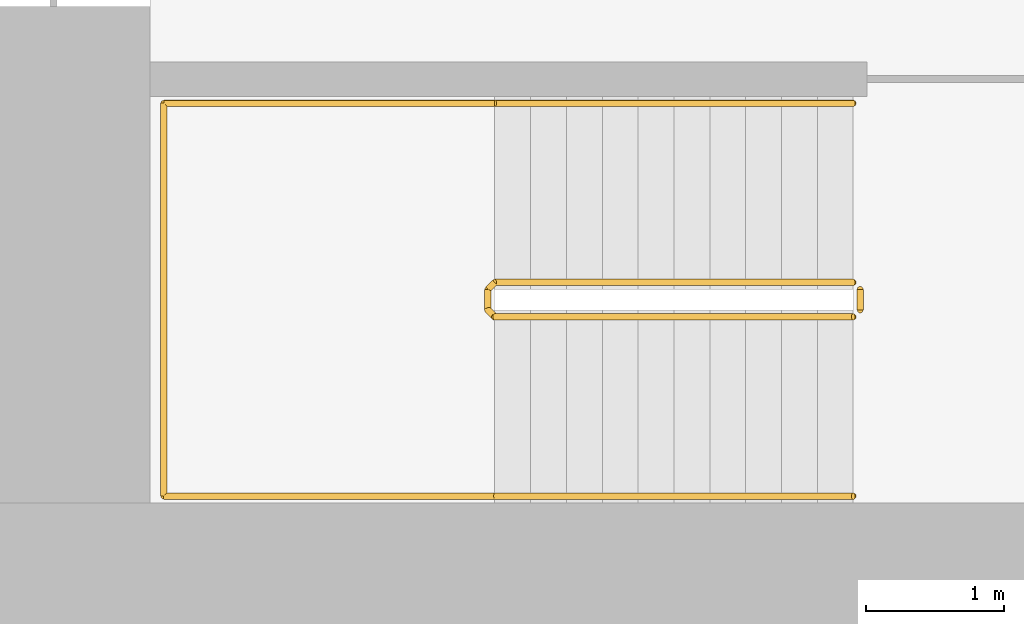
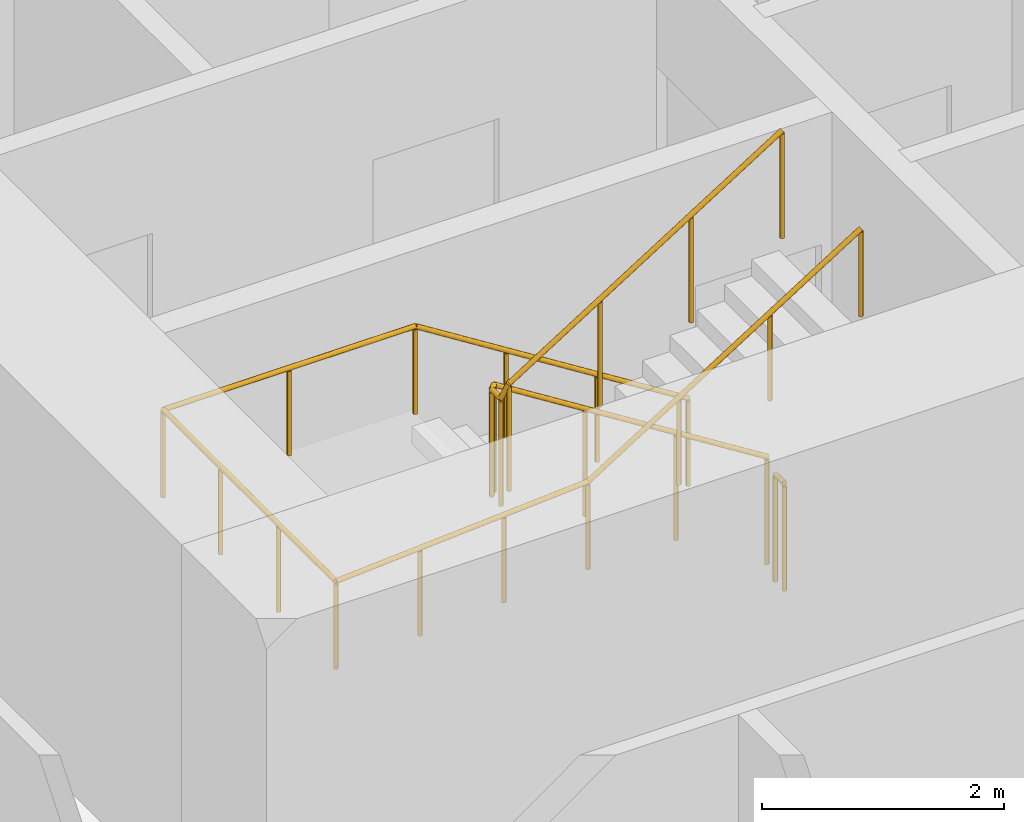
# One storey, part 12 of 14: 3 railings.
"""IFC4 building model written with IfcOpenShell, lengths in metres."""

from ifc_helpers import new_model, si_unit, direction, frame, origin, origin_2d, place, context, subcontext, project, spatial, circle, extrude, material, type_object, element, save


model = new_model("IFC4")

# Units and contexts
model_context = context("Model", 3, precision=1e-05, world=origin(), true_north=direction((0.0, 1.0)))
body_context = subcontext(model_context, "Body", "Model", "MODEL_VIEW")
ifc_project = project(units=[si_unit("LENGTHUNIT", "METRE"), si_unit("AREAUNIT", "SQUARE_METRE"), si_unit("VOLUMEUNIT", "CUBIC_METRE"), si_unit("PLANEANGLEUNIT", "RADIAN"), si_unit("MASSUNIT", "GRAM", prefix="KILO")], contexts=[model_context])

# Site, building, storey
site_placement = place(None, origin())
site = spatial("IfcSite", under=ifc_project, at=site_placement, CompositionType="ELEMENT")
building_placement = place(site_placement, origin())
building = spatial("IfcBuilding", under=site, at=building_placement, Name="Rubra Terraces Tower", CompositionType="ELEMENT")
storey_placement = place(building_placement, frame((0.0, 0.0, 44.699951171875)))
storey = spatial("IfcBuildingStorey", under=building, at=storey_placement, Name="L08", CompositionType="ELEMENT", Elevation=44.699951171875)

# Railings
ifc_material = material(Name="Stainless steel", Category="steel")
railing_type_1 = type_object("IfcRailingType", Name="Core stair guard 1100", PredefinedType="GUARDRAIL", material=ifc_material)
railing_1_placement = place(storey_placement, frame((-6.5, 0.0, 0.16357421875)))
element("IfcRailing", 1, at=railing_1_placement, inside=storey, type_object=railing_type_1, Name="L08 stair S1 guard 1", PredefinedType="GUARDRAIL", context=body_context, shape_type="SweptSolid", body=[
    extrude(circle(Radius=0.02392578125, at=origin_2d()), frame((0.0, 0.0, 1.076171875), z_axis=(-0.846324394277, 0.0, 0.532667832379), x_axis=(0.0, -1.0, 0.0)), (0.0, 0.0, 1.0), 3.072265625),
    extrude(circle(Radius=0.02392578125, at=origin_2d()), frame((-2.60009765625, 0.0, 2.71240234375), z_axis=(-0.705375805398, -0.708833529934, 0.0), x_axis=(0.708833529934, -0.705375805398, 0.0)), (0.0, 0.0, 1.0), 0.070556640625),
    extrude(circle(Radius=0.02392578125, at=origin_2d()), frame((-2.64990234375, -0.050048828125, 2.71240234375), z_axis=(0.0, -1.0, 0.0), x_axis=(1.0, 0.0, 0.0)), (0.0, 0.0, 1.0), 0.14990234375),
    extrude(circle(Radius=0.02392578125, at=origin_2d()), frame((-2.64990234375, -0.199951171875, 2.71240234375), z_axis=(0.279546231943, -0.280916556609, 0.91811752648), x_axis=(0.708833529934, 0.705375805398, 0.0)), (0.0, 0.0, 1.0), 0.17822265625),
    extrude(circle(Radius=0.02392578125, at=origin_2d()), frame((-2.60009765625, -0.25, 2.8759765625), z_axis=(0.846324394277, 0.0, 0.532667832379), x_axis=(0.0, 1.0, 0.0)), (0.0, 0.0, 1.0), 3.072265625),
    extrude(circle(Radius=0.02099609375, at=origin_2d()), origin(), (0.0, 0.0, 1.0), 1.052001953125),
    extrude(circle(Radius=0.02099609375, at=origin_2d()), frame((-0.86669921875, 0.0, 0.54541015625)), (0.0, 0.0, 1.0), 1.052001953125),
    extrude(circle(Radius=0.02099609375, at=origin_2d()), frame((-1.7333984375, 0.0, 1.091064453125)), (0.0, 0.0, 1.0), 1.052001953125),
    extrude(circle(Radius=0.02099609375, at=origin_2d()), frame((-2.60009765625, 0.0, 1.636474609375)), (0.0, 0.0, 1.0), 1.052001953125),
    extrude(circle(Radius=0.02099609375, at=origin_2d()), frame((-2.64990234375, -0.050048828125, 1.636474609375)), (0.0, 0.0, 1.0), 1.052001953125),
    extrude(circle(Radius=0.02099609375, at=origin_2d()), frame((-2.64990234375, -0.199951171875, 1.636474609375)), (0.0, 0.0, 1.0), 1.052001953125),
    extrude(circle(Radius=0.02099609375, at=origin_2d()), frame((-2.60009765625, -0.25, 1.800048828125)), (0.0, 0.0, 1.0), 1.052001953125),
    extrude(circle(Radius=0.02099609375, at=origin_2d()), frame((-1.7333984375, -0.25, 2.345458984375)), (0.0, 0.0, 1.0), 1.052001953125),
    extrude(circle(Radius=0.02099609375, at=origin_2d()), frame((-0.86669921875, -0.25, 2.89111328125)), (0.0, 0.0, 1.0), 1.052001953125),
    extrude(circle(Radius=0.02099609375, at=origin_2d()), frame((0.0, -0.25, 3.4365234375)), (0.0, 0.0, 1.0), 1.052001953125),
])
railing_2_placement = place(storey_placement, frame((-6.449951171875, -0.050048828125, 0.0)))
element("IfcRailing", 2, at=railing_2_placement, inside=storey, type_object=railing_type_1, Name="L08 stair S1 guard 2", PredefinedType="GUARDRAIL", context=body_context, shape_type="SweptSolid", body=[
    extrude(circle(Radius=0.02392578125, at=origin_2d()), frame((0.0, 0.0, 1.076171875), z_axis=(0.0, -1.0, 0.0), x_axis=(1.0, 0.0, 0.0)), (0.0, 0.0, 1.0), 0.14990234375),
    extrude(circle(Radius=0.02099609375, at=origin_2d()), origin(), (0.0, 0.0, 1.0), 1.052001953125),
    extrude(circle(Radius=0.02099609375, at=origin_2d()), frame((0.0, -0.14990234375, 0.0)), (0.0, 0.0, 1.0), 1.052001953125),
])
railing_type_2 = type_object("IfcRailingType", Name="Core stair handrail 900", PredefinedType="HANDRAIL", material=ifc_material)
railing_3_placement = place(storey_placement, frame((-6.5, 1.300048828125, 0.16357421875)))
element("IfcRailing", 3, at=railing_3_placement, inside=storey, type_object=railing_type_2, Name="L08 stair S1 handrail 1", PredefinedType="HANDRAIL", context=body_context, shape_type="SweptSolid", body=[
    extrude(circle(Radius=0.02392578125, at=origin_2d()), frame((0.0, 0.0, 0.8759765625), z_axis=(-0.846324394277, 0.0, 0.532667832379), x_axis=(0.0, -1.0, 0.0)), (0.0, 0.0, 1.0), 3.072265625),
    extrude(circle(Radius=0.02392578125, at=origin_2d()), frame((-2.60009765625, 0.0, 2.51220703125), z_axis=(-1.0, 0.0, 0.0), x_axis=(0.0, -1.0, 0.0)), (0.0, 0.0, 1.0), 2.39990234375),
    extrude(circle(Radius=0.02392578125, at=origin_2d()), frame((-5.0, 0.0, 2.51220703125), z_axis=(0.0, -1.0, 0.0), x_axis=(1.0, 0.0, 0.0)), (0.0, 0.0, 1.0), 2.85009765625),
    extrude(circle(Radius=0.02392578125, at=origin_2d()), frame((-5.0, -2.85009765625, 2.51220703125), z_axis=(0.997685257876, 0.0, 0.068000928055), x_axis=(0.0, 1.0, 0.0)), (0.0, 0.0, 1.0), 2.405517578125),
    extrude(circle(Radius=0.02392578125, at=origin_2d()), frame((-2.60009765625, -2.85009765625, 2.67578125), z_axis=(0.846324394277, 0.0, 0.532667832379), x_axis=(0.0, 1.0, 0.0)), (0.0, 0.0, 1.0), 3.072265625),
    extrude(circle(Radius=0.02099609375, at=origin_2d()), origin(), (0.0, 0.0, 1.0), 0.851806640625),
    extrude(circle(Radius=0.02099609375, at=origin_2d()), frame((-0.86669921875, 0.0, 0.54541015625)), (0.0, 0.0, 1.0), 0.851806640625),
    extrude(circle(Radius=0.02099609375, at=origin_2d()), frame((-1.7333984375, 0.0, 1.091064453125)), (0.0, 0.0, 1.0), 0.851806640625),
    extrude(circle(Radius=0.02099609375, at=origin_2d()), frame((-2.60009765625, 0.0, 1.636474609375)), (0.0, 0.0, 1.0), 0.851806640625),
    extrude(circle(Radius=0.02099609375, at=origin_2d()), frame((-3.800048828125, 0.0, 1.636474609375)), (0.0, 0.0, 1.0), 0.851806640625),
    extrude(circle(Radius=0.02099609375, at=origin_2d()), frame((-5.0, 0.0, 1.636474609375)), (0.0, 0.0, 1.0), 0.851806640625),
    extrude(circle(Radius=0.02099609375, at=origin_2d()), frame((-5.0, -0.949951171875, 1.636474609375)), (0.0, 0.0, 1.0), 0.851806640625),
    extrude(circle(Radius=0.02099609375, at=origin_2d()), frame((-5.0, -1.900146484375, 1.636474609375)), (0.0, 0.0, 1.0), 0.851806640625),
    extrude(circle(Radius=0.02099609375, at=origin_2d()), frame((-5.0, -2.85009765625, 1.636474609375)), (0.0, 0.0, 1.0), 0.851806640625),
    extrude(circle(Radius=0.02099609375, at=origin_2d()), frame((-4.199951171875, -2.85009765625, 1.69091796875)), (0.0, 0.0, 1.0), 0.851806640625),
    extrude(circle(Radius=0.02099609375, at=origin_2d()), frame((-3.400146484375, -2.85009765625, 1.74560546875)), (0.0, 0.0, 1.0), 0.851806640625),
    extrude(circle(Radius=0.02099609375, at=origin_2d()), frame((-2.60009765625, -2.85009765625, 1.800048828125)), (0.0, 0.0, 1.0), 0.851806640625),
    extrude(circle(Radius=0.02099609375, at=origin_2d()), frame((-1.7333984375, -2.85009765625, 2.345458984375)), (0.0, 0.0, 1.0), 0.851806640625),
    extrude(circle(Radius=0.02099609375, at=origin_2d()), frame((-0.86669921875, -2.85009765625, 2.89111328125)), (0.0, 0.0, 1.0), 0.851806640625),
    extrude(circle(Radius=0.02099609375, at=origin_2d()), frame((0.0, -2.85009765625, 3.4365234375)), (0.0, 0.0, 1.0), 0.851806640625),
])

save(model, "model.ifc")
